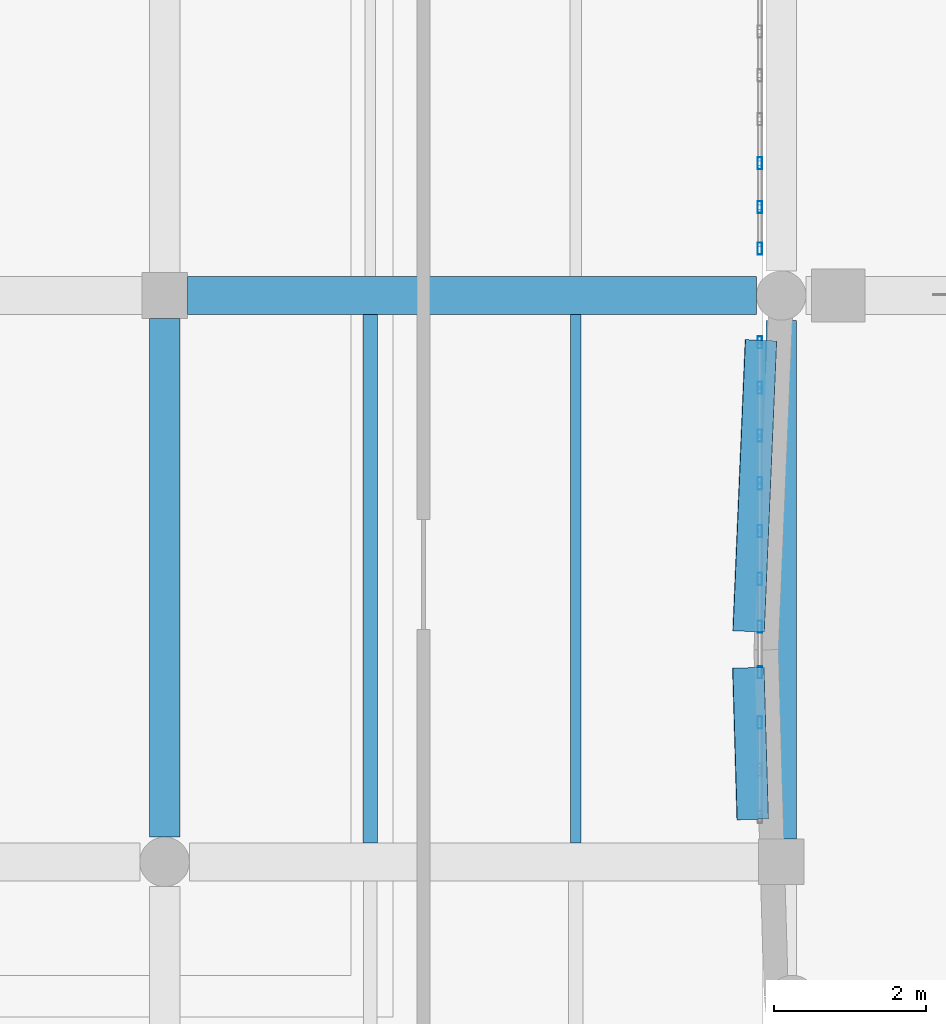
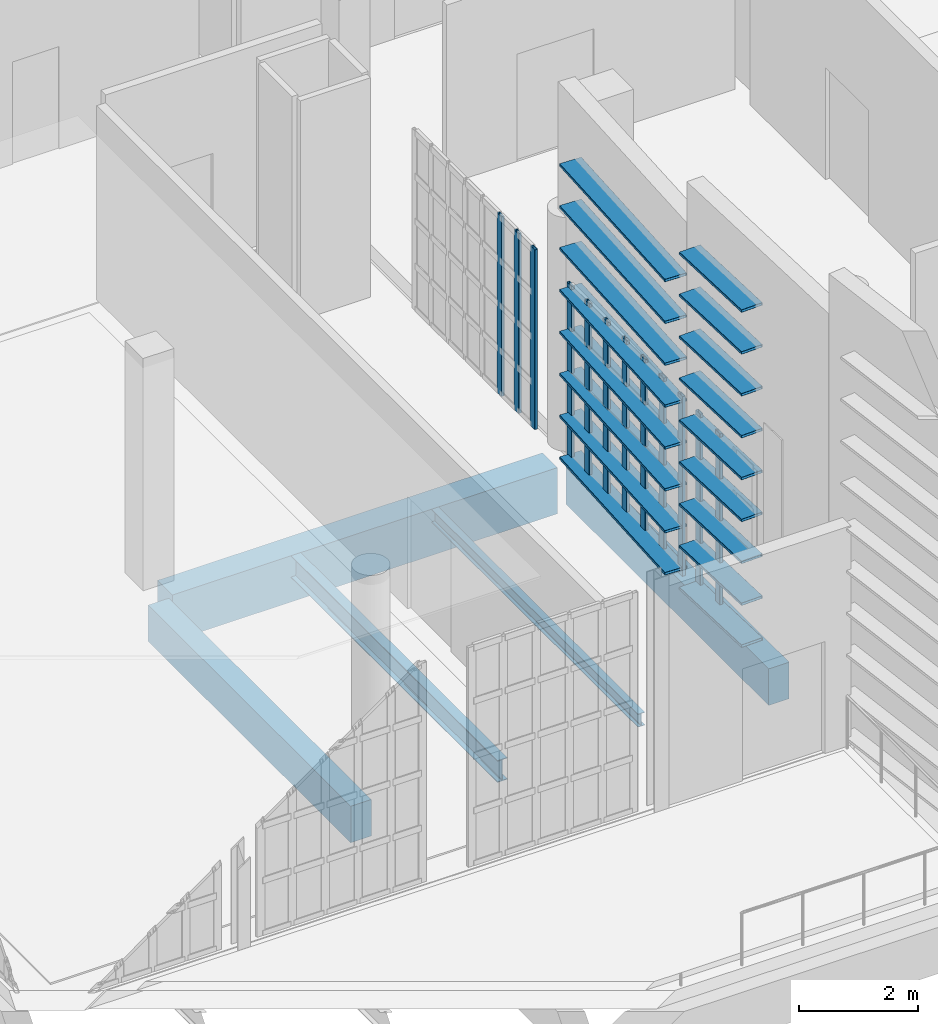
# One storey, part 33 of 104: 29 members, 5 beams, 3 elements without a shape of their own.
"""IFC4 building model written with IfcOpenShell, lengths in metres."""

from ifc_helpers import new_model, si_unit, direction, frame, origin, origin_2d, place, context, subcontext, project, spatial, rectangle, hollow_rectangle, i_section, extrude, material, material_profile, profile_set, type_object, element, aggregate, save


model = new_model("IFC4")

# Units and contexts
model_context = context("Model", 3, precision=1e-05, world=origin(), true_north=direction((0.0, 1.0)))
body_context = subcontext(model_context, "Body", "Model", "MODEL_VIEW")
ifc_project = project(units=[si_unit("LENGTHUNIT", "METRE"), si_unit("AREAUNIT", "SQUARE_METRE"), si_unit("VOLUMEUNIT", "CUBIC_METRE"), si_unit("PLANEANGLEUNIT", "RADIAN"), si_unit("MASSUNIT", "GRAM", prefix="KILO")], contexts=[model_context])

# Site, building, storey
site_placement = place(None, origin())
site = spatial("IfcSite", under=ifc_project, at=site_placement, CompositionType="ELEMENT")
building_placement = place(site_placement, origin())
building = spatial("IfcBuilding", under=site, at=building_placement, Name="Kaelora Sail Theatre", CompositionType="ELEMENT")
storey_placement = place(building_placement, frame((0.0, 0.0, 5.39990234375)))
storey = spatial("IfcBuildingStorey", under=building, at=storey_placement, Name="L01", CompositionType="ELEMENT", Elevation=5.39990234375)

# Members
ifc_material_1 = material(Name="Anodised aluminium 6063-T6", Category="aluminium")
ifc_material_profile_1 = material_profile(ifc_material_1, hollow_rectangle(XDim=0.419921875, YDim=0.054931640625, WallThickness=0.00390625, InnerFilletRadius=0.00390625, OuterFilletRadius=0.008056640625, at=origin_2d()), Name="LOUVRE 420x55x4")
ifc_profile_set_1 = profile_set([ifc_material_profile_1], Name="Anodised aluminium 6063-T6")
member_type_1 = type_object("IfcMemberType", Name="ARC-MEM-LVR-420", PredefinedType="USERDEFINED", material=ifc_profile_set_1)
for number, where, z_axis, x_axis, name in (
    (1, (122.626220703125, 46.697998046875, 0.150146484375), (-0.02890594095, 0.999582135984, 0.0), (-0.999582135984, -0.02890594095, 0.0), "Black-Box and Experimental Sail Wing horizontal solar louvre C19-06"),
    (2, (122.626220703125, 46.697998046875, 1.010009765625), (-0.02890594095, 0.999582135984, 0.0), (-0.999582135984, -0.02890594095, 0.0), "Black-Box and Experimental Sail Wing horizontal solar louvre C19-07"),
    (3, (122.626220703125, 46.697998046875, 1.8701171875), (-0.02890594095, 0.999582135984, 0.0), (-0.999582135984, -0.02890594095, 0.0), "Black-Box and Experimental Sail Wing horizontal solar louvre C19-08"),
    (4, (122.626220703125, 46.697998046875, 2.72998046875), (-0.02890594095, 0.999582135984, 0.0), (-0.999582135984, -0.02890594095, 0.0), "Black-Box and Experimental Sail Wing horizontal solar louvre C19-09"),
    (5, (122.626220703125, 46.697998046875, 3.590087890625), (-0.02890594095, 0.999582135984, 0.0), (-0.999582135984, -0.02890594095, 0.0), "Black-Box and Experimental Sail Wing horizontal solar louvre C19-10"),
    (6, (122.626220703125, 46.697998046875, 4.4501953125), (-0.02890594095, 0.999582135984, 0.0), (-0.999582135984, -0.02890594095, 0.0), "Black-Box and Experimental Sail Wing horizontal solar louvre C19-11"),
    (7, (122.626220703125, 46.697998046875, 5.31005859375), (-0.02890594095, 0.999582135984, 0.0), (-0.999582135984, -0.02890594095, 0.0), "Black-Box and Experimental Sail Wing horizontal solar louvre C19-12"),
    (8, (122.626220703125, 46.697998046875, 6.170166015625), (-0.02890594095, 0.999582135984, 0.0), (-0.999582135984, -0.02890594095, 0.0), "Black-Box and Experimental Sail Wing horizontal solar louvre C19-13"),
    (9, (122.626220703125, 46.697998046875, 7.030029296875), (-0.02890594095, 0.999582135984, 0.0), (-0.999582135984, -0.02890594095, 0.0), "Black-Box and Experimental Sail Wing horizontal solar louvre C19-14"),
):
    element("IfcMember", number, at=place(storey_placement, frame(where, z_axis=z_axis, x_axis=x_axis)), inside=storey, type_object=member_type_1, Name=name, ObjectType="LOUVRE", PredefinedType="USERDEFINED", context=body_context, shape_type="SweptSolid", body=[
        extrude(hollow_rectangle(XDim=0.419921875, YDim=0.054931640625, WallThickness=0.00390625, InnerFilletRadius=0.00390625, OuterFilletRadius=0.008056640625, at=origin_2d()), origin(), (0.0, 0.0, 1.0), 1.9931640625),
    ])
for number, where, z_axis, x_axis, name in (
    (10, (122.572021484375, 49.16748046875, 0.150146484375), (0.042537742373, 0.999094860598, 0.0), (-0.999094860598, 0.042537742373, 0.0), "Black-Box and Experimental Sail Wing horizontal solar louvre C20-06"),
    (11, (122.572021484375, 49.16748046875, 1.010009765625), (0.042537742373, 0.999094860598, 0.0), (-0.999094860598, 0.042537742373, 0.0), "Black-Box and Experimental Sail Wing horizontal solar louvre C20-07"),
    (12, (122.572021484375, 49.16748046875, 1.8701171875), (0.042537742373, 0.999094860598, 0.0), (-0.999094860598, 0.042537742373, 0.0), "Black-Box and Experimental Sail Wing horizontal solar louvre C20-08"),
    (13, (122.572021484375, 49.16748046875, 2.72998046875), (0.042537742373, 0.999094860598, 0.0), (-0.999094860598, 0.042537742373, 0.0), "Black-Box and Experimental Sail Wing horizontal solar louvre C20-09"),
    (14, (122.572021484375, 49.16748046875, 3.590087890625), (0.042537742373, 0.999094860598, 0.0), (-0.999094860598, 0.042537742373, 0.0), "Black-Box and Experimental Sail Wing horizontal solar louvre C20-10"),
    (15, (122.572021484375, 49.16748046875, 4.4501953125), (0.042537742373, 0.999094860598, 0.0), (-0.999094860598, 0.042537742373, 0.0), "Black-Box and Experimental Sail Wing horizontal solar louvre C20-11"),
    (16, (122.572021484375, 49.16748046875, 5.31005859375), (0.042537742373, 0.999094860598, 0.0), (-0.999094860598, 0.042537742373, 0.0), "Black-Box and Experimental Sail Wing horizontal solar louvre C20-12"),
    (17, (122.572021484375, 49.16748046875, 6.170166015625), (0.042537742373, 0.999094860598, 0.0), (-0.999094860598, 0.042537742373, 0.0), "Black-Box and Experimental Sail Wing horizontal solar louvre C20-13"),
):
    element("IfcMember", number, at=place(storey_placement, frame(where, z_axis=z_axis, x_axis=x_axis)), inside=storey, type_object=member_type_1, Name=name, ObjectType="LOUVRE", PredefinedType="USERDEFINED", context=body_context, shape_type="SweptSolid", body=[
        extrude(hollow_rectangle(XDim=0.419921875, YDim=0.054931640625, WallThickness=0.00390625, InnerFilletRadius=0.00390625, OuterFilletRadius=0.008056640625, at=origin_2d()), origin(), (0.0, 0.0, 1.0), 3.828125),
    ])

# Curtain wall, member
ifc_material_2 = material(Name="Anodised aluminium and solar-control low-E IGU", Category="aluminium")
curtain_wall_type = type_object("IfcCurtainWallType", Name="ARC-CW-CW-PROW", PredefinedType="NOTDEFINED", material=ifc_material_2)
curtain_wall_1_placement = place(storey_placement, origin())
curtain_wall_1 = element("IfcCurtainWall", 18, at=curtain_wall_1_placement, inside=storey, type_object=curtain_wall_type, Name="East Interstitial Foyer East Glazed Return L01-01", PredefinedType="NOTDEFINED")
ifc_material_3 = material(Name="Anodised aluminium 6063-T6", Category="aluminium")
ifc_material_profile_2 = material_profile(ifc_material_3, hollow_rectangle(XDim=0.06005859375, YDim=0.159912109375, WallThickness=0.00390625, InnerFilletRadius=0.00390625, OuterFilletRadius=0.008056640625, at=origin_2d()), Name="ALU-MULL 60x160x4")
ifc_profile_set_2 = profile_set([ifc_material_profile_2], Name="Anodised aluminium 6063-T6")
member_type_2 = type_object("IfcMemberType", Name="ARC-MEM-ML-160", PredefinedType="MULLION", material=ifc_profile_set_2)
member_1_placement = place(storey_placement, frame((122.719970703125, 47.969970703125, 0.0), z_axis=(0.0, 0.0, 1.0), x_axis=(-1.0, 0.0, 0.0)))
member_1 = element("IfcMember", 19, at=member_1_placement, type_object=member_type_2, Name="CW-PROW mullion 3", PredefinedType="MULLION", context=body_context, shape_type="SweptSolid", body=[
    extrude(hollow_rectangle(XDim=0.06005859375, YDim=0.159912109375, WallThickness=0.00390625, InnerFilletRadius=0.00390625, OuterFilletRadius=0.008056640625, at=origin_2d()), origin(), (0.0, 0.0, 1.0), 3.68701171875),
])
aggregate(curtain_wall_1, [member_1])

# Curtain wall, members
curtain_wall_2_placement = place(storey_placement, origin())
curtain_wall_2 = element("IfcCurtainWall", 20, at=curtain_wall_2_placement, inside=storey, type_object=curtain_wall_type, Name="East Interstitial Foyer East Glazed Return L01-02", PredefinedType="NOTDEFINED")
member_2_placement = place(storey_placement, frame((122.719970703125, 48.6298828125, 0.0), z_axis=(0.0, 0.0, 1.0), x_axis=(-1.0, 0.0, 0.0)))
member_2 = element("IfcMember", 21, at=member_2_placement, type_object=member_type_2, Name="CW-PROW mullion 1", PredefinedType="MULLION", context=body_context, shape_type="SweptSolid", body=[
    extrude(hollow_rectangle(XDim=0.06005859375, YDim=0.159912109375, WallThickness=0.00390625, InnerFilletRadius=0.00390625, OuterFilletRadius=0.008056640625, at=origin_2d()), origin(), (0.0, 0.0, 1.0), 3.68701171875),
])
member_3_placement = place(storey_placement, frame((122.719970703125, 49.227783203125, 0.0), z_axis=(0.0, 0.0, 1.0), x_axis=(-1.0, 0.0, 0.0)))
member_3 = element("IfcMember", 22, at=member_3_placement, type_object=member_type_2, Name="CW-PROW mullion 2", PredefinedType="MULLION", context=body_context, shape_type="SweptSolid", body=[
    extrude(hollow_rectangle(XDim=0.06005859375, YDim=0.159912109375, WallThickness=0.00390625, InnerFilletRadius=0.00390625, OuterFilletRadius=0.008056640625, at=origin_2d()), origin(), (0.0, 0.0, 1.0), 3.68701171875),
])
member_4_placement = place(storey_placement, frame((122.719970703125, 49.855712890625, 0.0), z_axis=(0.0, 0.0, 1.0), x_axis=(-1.0, 0.0, 0.0)))
member_4 = element("IfcMember", 23, at=member_4_placement, type_object=member_type_2, Name="CW-PROW mullion 3", PredefinedType="MULLION", context=body_context, shape_type="SweptSolid", body=[
    extrude(hollow_rectangle(XDim=0.06005859375, YDim=0.159912109375, WallThickness=0.00390625, InnerFilletRadius=0.00390625, OuterFilletRadius=0.008056640625, at=origin_2d()), origin(), (0.0, 0.0, 1.0), 3.68701171875),
])
member_5_placement = place(storey_placement, frame((122.719970703125, 50.483642578125, 0.0), z_axis=(0.0, 0.0, 1.0), x_axis=(-1.0, 0.0, 0.0)))
member_5 = element("IfcMember", 24, at=member_5_placement, type_object=member_type_2, Name="CW-PROW mullion 4", PredefinedType="MULLION", context=body_context, shape_type="SweptSolid", body=[
    extrude(hollow_rectangle(XDim=0.06005859375, YDim=0.159912109375, WallThickness=0.00390625, InnerFilletRadius=0.00390625, OuterFilletRadius=0.008056640625, at=origin_2d()), origin(), (0.0, 0.0, 1.0), 3.68701171875),
])
member_6_placement = place(storey_placement, frame((122.719970703125, 51.111328125, 0.0), z_axis=(0.0, 0.0, 1.0), x_axis=(-1.0, 0.0, 0.0)))
member_6 = element("IfcMember", 25, at=member_6_placement, type_object=member_type_2, Name="CW-PROW mullion 5", PredefinedType="MULLION", context=body_context, shape_type="SweptSolid", body=[
    extrude(hollow_rectangle(XDim=0.06005859375, YDim=0.159912109375, WallThickness=0.00390625, InnerFilletRadius=0.00390625, OuterFilletRadius=0.008056640625, at=origin_2d()), origin(), (0.0, 0.0, 1.0), 3.68701171875),
])
member_7_placement = place(storey_placement, frame((122.719970703125, 51.7392578125, 0.0), z_axis=(0.0, 0.0, 1.0), x_axis=(-1.0, 0.0, 0.0)))
member_7 = element("IfcMember", 26, at=member_7_placement, type_object=member_type_2, Name="CW-PROW mullion 6", PredefinedType="MULLION", context=body_context, shape_type="SweptSolid", body=[
    extrude(hollow_rectangle(XDim=0.06005859375, YDim=0.159912109375, WallThickness=0.00390625, InnerFilletRadius=0.00390625, OuterFilletRadius=0.008056640625, at=origin_2d()), origin(), (0.0, 0.0, 1.0), 3.68701171875),
])
member_8_placement = place(storey_placement, frame((122.719970703125, 52.3671875, 0.0), z_axis=(0.0, 0.0, 1.0), x_axis=(-1.0, 0.0, 0.0)))
member_8 = element("IfcMember", 27, at=member_8_placement, type_object=member_type_2, Name="CW-PROW mullion 7", PredefinedType="MULLION", context=body_context, shape_type="SweptSolid", body=[
    extrude(hollow_rectangle(XDim=0.06005859375, YDim=0.159912109375, WallThickness=0.00390625, InnerFilletRadius=0.00390625, OuterFilletRadius=0.008056640625, at=origin_2d()), origin(), (0.0, 0.0, 1.0), 3.68701171875),
])
member_9_placement = place(storey_placement, frame((122.719970703125, 52.965087890625, 0.0), z_axis=(0.0, 0.0, 1.0), x_axis=(-1.0, 0.0, 0.0)))
member_9 = element("IfcMember", 28, at=member_9_placement, type_object=member_type_2, Name="CW-PROW mullion 8", PredefinedType="MULLION", context=body_context, shape_type="SweptSolid", body=[
    extrude(hollow_rectangle(XDim=0.06005859375, YDim=0.159912109375, WallThickness=0.00390625, InnerFilletRadius=0.00390625, OuterFilletRadius=0.008056640625, at=origin_2d()), origin(), (0.0, 0.0, 1.0), 3.68701171875),
])
aggregate(curtain_wall_2, [member_2, member_3, member_4, member_5, member_6, member_7, member_8, member_9])

curtain_wall_3_placement = place(storey_placement, origin())
curtain_wall_3 = element("IfcCurtainWall", 29, at=curtain_wall_3_placement, inside=storey, type_object=curtain_wall_type, Name="East Interstitial Foyer East Glazed Return L01-03", PredefinedType="NOTDEFINED")
member_10_placement = place(storey_placement, frame((122.719970703125, 54.195068359375, 0.0), z_axis=(0.0, 0.0, 1.0), x_axis=(-1.0, 0.0, 0.0)))
member_10 = element("IfcMember", 30, at=member_10_placement, type_object=member_type_2, Name="CW-PROW mullion 1", PredefinedType="MULLION", context=body_context, shape_type="SweptSolid", body=[
    extrude(hollow_rectangle(XDim=0.06005859375, YDim=0.159912109375, WallThickness=0.00390625, InnerFilletRadius=0.00390625, OuterFilletRadius=0.008056640625, at=origin_2d()), origin(), (0.0, 0.0, 1.0), 3.68701171875),
])
member_11_placement = place(storey_placement, frame((122.719970703125, 54.741455078125, 0.0), z_axis=(0.0, 0.0, 1.0), x_axis=(-1.0, 0.0, 0.0)))
member_11 = element("IfcMember", 31, at=member_11_placement, type_object=member_type_2, Name="CW-PROW mullion 2", PredefinedType="MULLION", context=body_context, shape_type="SweptSolid", body=[
    extrude(hollow_rectangle(XDim=0.06005859375, YDim=0.159912109375, WallThickness=0.00390625, InnerFilletRadius=0.00390625, OuterFilletRadius=0.008056640625, at=origin_2d()), origin(), (0.0, 0.0, 1.0), 3.68701171875),
])
member_12_placement = place(storey_placement, frame((122.719970703125, 55.31787109375, 0.0), z_axis=(0.0, 0.0, 1.0), x_axis=(-1.0, 0.0, 0.0)))
member_12 = element("IfcMember", 32, at=member_12_placement, type_object=member_type_2, Name="CW-PROW mullion 3", PredefinedType="MULLION", context=body_context, shape_type="SweptSolid", body=[
    extrude(hollow_rectangle(XDim=0.06005859375, YDim=0.159912109375, WallThickness=0.00390625, InnerFilletRadius=0.00390625, OuterFilletRadius=0.008056640625, at=origin_2d()), origin(), (0.0, 0.0, 1.0), 3.68701171875),
])
aggregate(curtain_wall_3, [member_10, member_11, member_12])

# Beams
ifc_material_4 = material(Name="Steel S355", Category="steel")
ifc_material_profile_3 = material_profile(ifc_material_4, i_section(OverallWidth=0.18994140625, OverallDepth=0.449951171875, WebThickness=0.009521484375, FlangeThickness=0.0146484375, FilletRadius=0.02099609375, at=origin_2d()), Name="IPE 450")
ifc_profile_set_3 = profile_set([ifc_material_profile_3], Name="Steel S355")
beam_type_1 = type_object("IfcBeamType", Name="STR-BM-BM-IPE450", PredefinedType="BEAM", material=ifc_profile_set_3)
beam_1_placement = place(storey_placement, frame((117.60009765625, 46.389892578125, -0.52001953125), z_axis=(0.0, 1.0, 0.0), x_axis=(-1.0, 0.0, 0.0)))
element("IfcBeam", 33, at=beam_1_placement, inside=storey, type_object=beam_type_1, Name="Secondary floor joist 15/G-1 (L01)", PredefinedType="BEAM", context=body_context, shape_type="SweptSolid", body=[
    extrude(i_section(OverallWidth=0.18994140625, OverallDepth=0.449951171875, WebThickness=0.009521484375, FlangeThickness=0.0146484375, FilletRadius=0.02099609375, at=origin_2d()), origin(), (0.0, 0.0, 1.0), 6.940185546875),
])
ifc_material_5 = material(Name="Concrete C40/50", Category="concrete")
ifc_material_profile_4 = material_profile(ifc_material_5, rectangle(XDim=0.39990234375, YDim=0.75, at=origin_2d()), Name="RC-BM 400x750")
ifc_profile_set_4 = profile_set([ifc_material_profile_4], Name="Concrete C40/50")
beam_type_2 = type_object("IfcBeamType", Name="STR-BM-BM-RC4075", PredefinedType="BEAM", material=ifc_profile_set_4)
for number, where, z_axis, x_axis, name in (
    (34, (114.89990234375, 46.465087890625, -0.669921875), (0.0, 1.0, 0.0), (-1.0, 0.0, 0.0), "Primary beam 15 G-H (L01)"),
    (35, (123.0, 46.43994140625, -0.669921875), (0.0, 1.0, 0.0), (-1.0, 0.0, 0.0), "Primary beam 16 G-H (L01)"),
):
    element("IfcBeam", number, at=place(storey_placement, frame(where, z_axis=z_axis, x_axis=x_axis)), inside=storey, type_object=beam_type_2, Name=name, PredefinedType="BEAM", context=body_context, shape_type="SweptSolid", body=[
        extrude(rectangle(XDim=0.39990234375, YDim=0.75, at=origin_2d()), origin(), (0.0, 0.0, 1.0), 6.81494140625),
    ])
ifc_material_6 = material(Name="Concrete C45/55", Category="concrete")
ifc_material_profile_5 = material_profile(ifc_material_6, rectangle(XDim=0.5, YDim=0.949951171875, at=origin_2d()), Name="RC-GRD 500x950")
ifc_profile_set_5 = profile_set([ifc_material_profile_5], Name="Concrete C45/55")
beam_type_3 = type_object("IfcBeamType", Name="STR-BM-GR-RC5095", PredefinedType="T_BEAM", material=ifc_profile_set_5)
beam_2_placement = place(storey_placement, frame((115.199951171875, 53.580078125, -0.77001953125), z_axis=(1.0, 0.0, 0.0), x_axis=(0.0, 1.0, 0.0)))
element("IfcBeam", 36, at=beam_2_placement, inside=storey, type_object=beam_type_3, Name="Primary beam H 15-16 (L01)", PredefinedType="T_BEAM", context=body_context, shape_type="SweptSolid", body=[
    extrude(rectangle(XDim=0.5, YDim=0.949951171875, at=origin_2d()), origin(), (0.0, 0.0, 1.0), 7.47509765625),
])
ifc_material_7 = material(Name="Steel S355", Category="steel")
ifc_material_profile_6 = material_profile(ifc_material_7, i_section(OverallWidth=0.135009765625, OverallDepth=0.27001953125, WebThickness=0.006591796875, FlangeThickness=0.01025390625, FilletRadius=0.014892578125, at=origin_2d()), Name="IPE 270")
ifc_profile_set_6 = profile_set([ifc_material_profile_6], Name="Steel S355")
beam_type_4 = type_object("IfcBeamType", Name="STR-BM-JS-IPE270", PredefinedType="JOIST", material=ifc_profile_set_6)
beam_3_placement = place(storey_placement, frame((120.300048828125, 46.389892578125, -0.429931640625), z_axis=(0.0, 1.0, 0.0), x_axis=(-1.0, 0.0, 0.0)))
element("IfcBeam", 37, at=beam_3_placement, inside=storey, type_object=beam_type_4, Name="Secondary floor joist 15/G-2 (L01)", PredefinedType="JOIST", context=body_context, shape_type="SweptSolid", body=[
    extrude(i_section(OverallWidth=0.135009765625, OverallDepth=0.27001953125, WebThickness=0.006591796875, FlangeThickness=0.01025390625, FilletRadius=0.014892578125, at=origin_2d()), origin(), (0.0, 0.0, 1.0), 6.940185546875),
])

save(model, "model.ifc")
